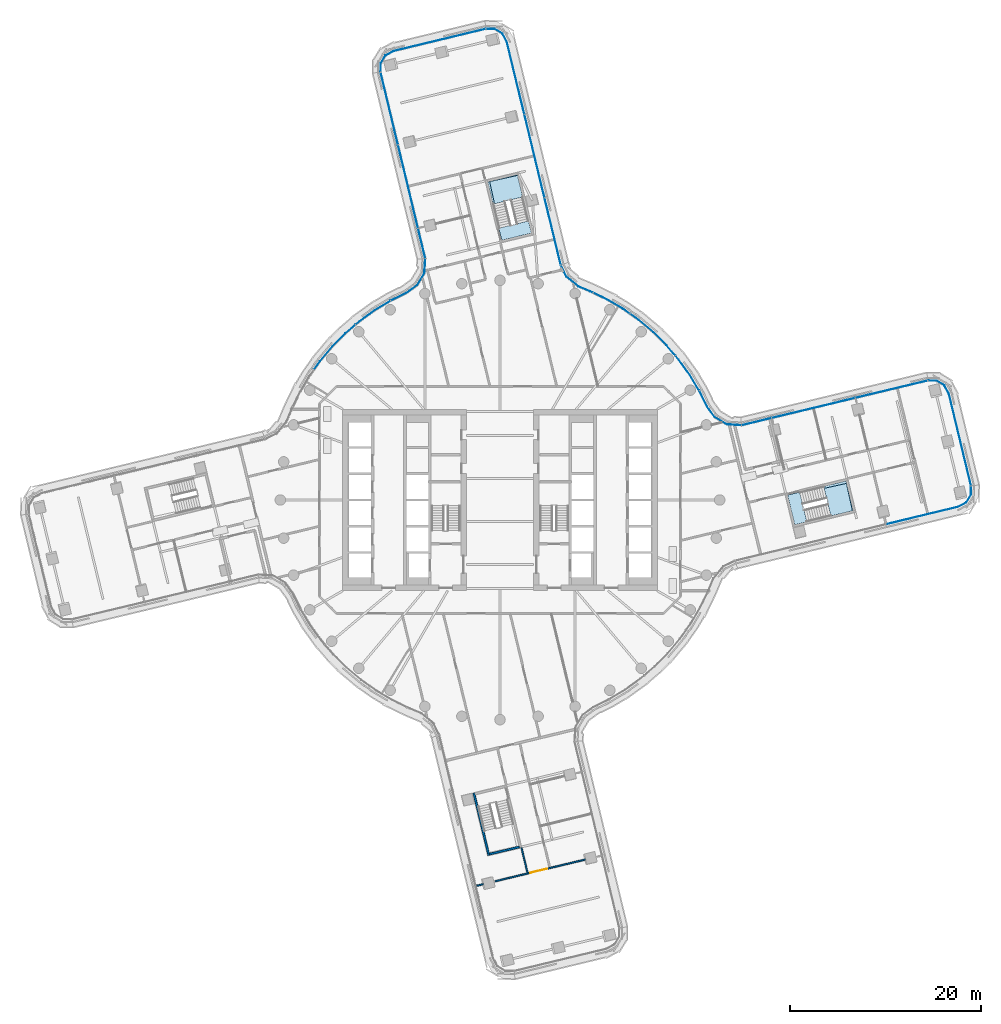
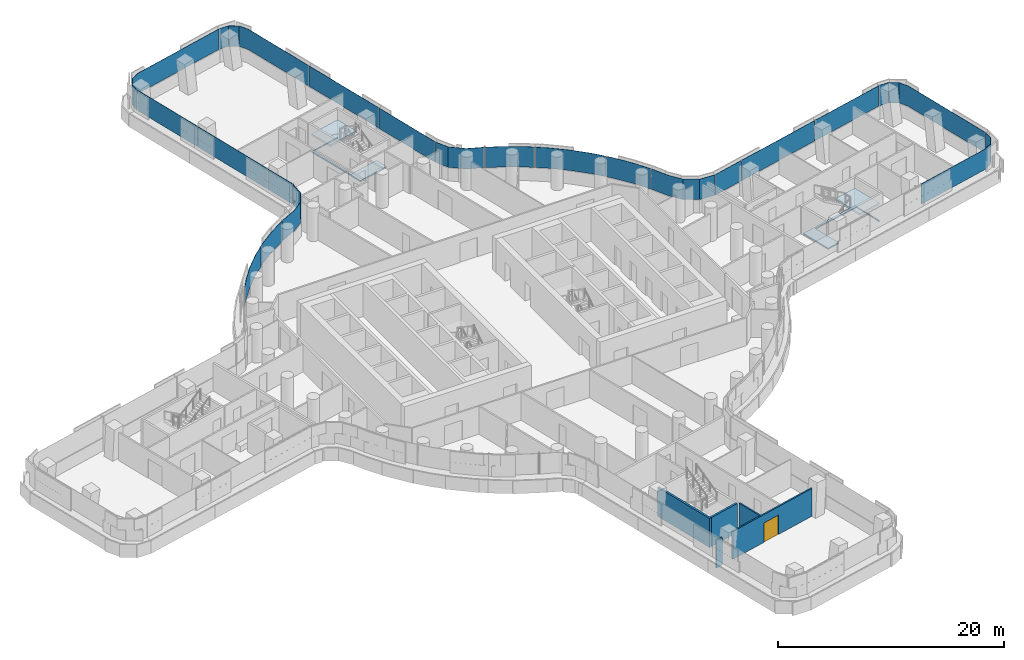
# One storey, part 18 of 33: 20 plates, 5 walls, 4 slabs, 1 door, 1 opening, 10 elements without a shape of their own.
"""IFC4 building model written with IfcOpenShell, lengths in metres."""

from ifc_helpers import new_model, si_unit, direction, frame, frame_2d, origin, place, context, subcontext, project, spatial, polyline, rectangle, outline, extrude, material, layer, layer_set, type_object, element, fill, aggregate, save


model = new_model("IFC4")

# Units and contexts
model_context = context("Model", 3, precision=1e-05, world=origin(), true_north=direction((0.0, 1.0)))
body_context = subcontext(model_context, "Body", "Model", "MODEL_VIEW")
ifc_project = project(units=[si_unit("LENGTHUNIT", "METRE"), si_unit("AREAUNIT", "SQUARE_METRE"), si_unit("VOLUMEUNIT", "CUBIC_METRE"), si_unit("PLANEANGLEUNIT", "RADIAN"), si_unit("MASSUNIT", "GRAM", prefix="KILO")], contexts=[model_context])

# Site, building, storey
site_placement = place(None, origin())
site = spatial("IfcSite", under=ifc_project, at=site_placement, CompositionType="ELEMENT")
building_placement = place(site_placement, origin())
building = spatial("IfcBuilding", under=site, at=building_placement, Name="Tamarind Cross Interchange Tower", CompositionType="ELEMENT")
storey_placement = place(building_placement, frame((0.0, 0.0, 83.5)))
storey = spatial("IfcBuildingStorey", under=building, at=storey_placement, Name="L19", CompositionType="ELEMENT", Elevation=83.5)

# Slabs
ifc_material_1 = material(Name="Concrete C35", Category="concrete")
ifc_layer_1 = layer(ifc_material_1, 0.139892578125)
ifc_layer_set_1 = layer_set([ifc_layer_1], Name="Concrete C35")
slab_type_1 = type_object("IfcSlabType", Name="Composite slab 140 Concrete C35", PredefinedType="FLOOR", material=ifc_layer_set_1)
slab_1_placement = place(storey_placement, frame((0.0, 0.0, -0.139892578125)))
element("IfcSlab", 1, at=slab_1_placement, inside=storey, type_object=slab_type_1, Name="Floor slab L19", PredefinedType="FLOOR", context=body_context, shape_type="SweptSolid", body=[
    extrude(outline(polyline([(0.1865234375, 27.18896484375), (3.297119140625, 27.9404296875), (3.008544921875, 29.13525390625), (2.989013671875, 29.2158203125), (-0.009521484375, 28.4912109375), (-1.08642578125, 33.33447265625), (1.8369140625, 33.984619140625), (1.817626953125, 34.064208984375), (-1.29296875, 33.312744140625), (0.1865234375, 27.18896484375)])), origin(), (0.0, 0.0, 1.0), 0.139892578125),
])
slab_2_placement = place(storey_placement, frame((0.0, 0.0, -0.139892578125)))
element("IfcSlab", 2, at=slab_2_placement, inside=storey, type_object=slab_type_1, Name="Floor slab L19", PredefinedType="FLOOR", context=body_context, shape_type="SweptSolid", body=[
    extrude(outline(polyline([(36.98046875, -1.113037109375), (36.22900390625, 1.997314453125), (30.10498046875, 0.517822265625), (30.8564453125, -2.592529296875), (32.1318359375, -2.284423828125), (31.42041015625, 0.66064453125), (36.262939453125, 1.737548828125), (36.901123046875, -1.132080078125), (36.98046875, -1.113037109375)])), origin(), (0.0, 0.0, 1.0), 0.139892578125),
])

# Stair, slab
ifc_material_2 = material(Name="Exit stair")
stair_type = type_object("IfcStairType", Name="Exit stair", PredefinedType="HALF_TURN_STAIR", material=ifc_material_2)
stair_1_placement = place(storey_placement, origin())
stair_1 = element("IfcStair", 3, at=stair_1_placement, inside=storey, type_object=stair_type, Name="L19 exit stair ST3", PredefinedType="HALF_TURN_STAIR")
ifc_material_3 = material(Name="Concrete C40", Category="concrete")
ifc_layer_2 = layer(ifc_material_3, 0.199951171875)
ifc_layer_set_2 = layer_set([ifc_layer_2], Name="Concrete C40")
slab_type_2 = type_object("IfcSlabType", Name="Stair landing", PredefinedType="LANDING", material=ifc_layer_set_2)
slab_3_placement = place(storey_placement, frame((0.0, 0.0, 1.675048828125)))
slab_3 = element("IfcSlab", 4, at=slab_3_placement, type_object=slab_type_2, Name="ST3 landing 1", PredefinedType="LANDING", context=body_context, shape_type="SweptSolid", body=[
    extrude(outline(polyline([(34.6357421875, -1.679443359375), (36.98046875, -1.113037109375), (36.228759765625, 1.997314453125), (33.88427734375, 1.430908203125), (34.6357421875, -1.679443359375)])), origin(), (0.0, 0.0, 1.0), 0.199951171875),
])
aggregate(stair_1, [slab_3])

stair_2_placement = place(storey_placement, origin())
stair_2 = element("IfcStair", 5, at=stair_2_placement, inside=storey, type_object=stair_type, Name="L19 exit stair ST4", PredefinedType="HALF_TURN_STAIR")
slab_4_placement = place(storey_placement, frame((0.0, 0.0, 1.675048828125)))
slab_4 = element("IfcSlab", 6, at=slab_4_placement, type_object=slab_type_2, Name="ST4 landing 1", PredefinedType="LANDING", context=body_context, shape_type="SweptSolid", body=[
    extrude(outline(polyline([(2.384033203125, 31.7197265625), (1.817626953125, 34.064208984375), (-1.29296875, 33.312744140625), (-0.7265625, 30.96826171875), (2.384033203125, 31.7197265625)])), origin(), (0.0, 0.0, 1.0), 0.199951171875),
])
aggregate(stair_2, [slab_4])

# Curtain wall, plate
ifc_material_4 = material(Name="Aluminium 6063-T6", Category="aluminium")
ifc_layer_3 = layer(ifc_material_4, 0.159912109375)
ifc_layer_set_3 = layer_set([ifc_layer_3], Name="Aluminium 6063-T6")
curtain_wall_type_1 = type_object("IfcCurtainWallType", Name="Office curtain wall, 9.0 m bays", PredefinedType="NOTDEFINED", material=ifc_layer_set_3)
curtain_wall_1_placement = place(storey_placement, origin())
curtain_wall_1 = element("IfcCurtainWall", 7, at=curtain_wall_1_placement, inside=storey, type_object=curtain_wall_type_1, Name="CWS-L19-00", PredefinedType="NOTDEFINED")
ifc_material_5 = material(Name="Laminated low-e glass 8+1.52+8", Category="glass")
ifc_layer_4 = layer(ifc_material_5, 0.028076171875)
ifc_layer_set_4 = layer_set([ifc_layer_4], Name="Laminated low-e glass 8+1.52+8")
plate_type_1 = type_object("IfcPlateType", Name="Vision panel CW1", PredefinedType="CURTAIN_PANEL", material=ifc_layer_set_4)
plate_1_placement = place(storey_placement, frame((0.0, 0.0, 1.39990234375)))
plate_1 = element("IfcPlate", 8, at=plate_1_placement, type_object=plate_type_1, Name="CWP-L19-00-00", PredefinedType="CURTAIN_PANEL", context=body_context, shape_type="SweptSolid", body=[
    extrude(outline(polyline([(-1.511474609375, 49.30712890625), (-11.149658203125, 46.978515625), (-11.983642578125, 46.524169921875), (-12.463623046875, 45.738525390625), (-12.486328125, 44.817138671875), (-12.514404296875, 44.81787109375), (-12.491455078125, 45.746826171875), (-12.003662109375, 46.545166015625), (-11.159912109375, 47.0048828125), (-1.51806640625, 49.33447265625), (-1.511474609375, 49.30712890625)])), origin(), (0.0, 0.0, 1.0), 2.210205078125),
])
aggregate(curtain_wall_1, [plate_1])

# Curtain wall, plates
curtain_wall_2_placement = place(storey_placement, origin())
curtain_wall_2 = element("IfcCurtainWall", 9, at=curtain_wall_2_placement, inside=storey, type_object=curtain_wall_type_1, Name="CWS-L19-01", PredefinedType="NOTDEFINED")
plate_2_placement = place(storey_placement, frame((0.0, 0.0, 1.39990234375)))
plate_2 = element("IfcPlate", 10, at=plate_2_placement, type_object=plate_type_1, Name="CWP-L19-01-00", PredefinedType="CURTAIN_PANEL", context=body_context, shape_type="SweptSolid", body=[
    extrude(outline(polyline([(-12.48046875, 44.761474609375), (-10.669677734375, 37.221923828125), (-10.69677734375, 37.21533203125), (-12.5078125, 44.755126953125), (-12.48046875, 44.761474609375)])), origin(), (0.0, 0.0, 1.0), 2.210205078125),
])
plate_3_placement = place(storey_placement, frame((0.0, 0.0, 1.39990234375)))
plate_3 = element("IfcPlate", 11, at=plate_3_placement, type_object=plate_type_1, Name="CWP-L19-01-01", PredefinedType="CURTAIN_PANEL", context=body_context, shape_type="SweptSolid", body=[
    extrude(outline(polyline([(-10.655517578125, 37.16357421875), (-8.5673828125, 28.468994140625), (-8.594482421875, 28.46240234375), (-10.682861328125, 37.156982421875), (-10.655517578125, 37.16357421875)])), origin(), (0.0, 0.0, 1.0), 2.210205078125),
])
plate_4_placement = place(storey_placement, frame((0.0, 0.0, 1.39990234375)))
plate_4 = element("IfcPlate", 12, at=plate_4_placement, type_object=plate_type_1, Name="CWP-L19-01-02", PredefinedType="CURTAIN_PANEL", context=body_context, shape_type="SweptSolid", body=[
    extrude(outline(polyline([(-8.55322265625, 28.41064453125), (-7.811279296875, 25.3212890625), (-7.83837890625, 25.314697265625), (-8.58056640625, 28.404052734375), (-8.55322265625, 28.41064453125)])), origin(), (0.0, 0.0, 1.0), 2.210205078125),
])
aggregate(curtain_wall_2, [plate_2, plate_3, plate_4])

# Curtain wall, plate
curtain_wall_3_placement = place(storey_placement, origin())
curtain_wall_3 = element("IfcCurtainWall", 13, at=curtain_wall_3_placement, inside=storey, type_object=curtain_wall_type_1, Name="CWS-L19-11", PredefinedType="NOTDEFINED")
plate_5_placement = place(storey_placement, frame((0.0, 0.0, 1.39990234375)))
plate_5 = element("IfcPlate", 14, at=plate_5_placement, type_object=plate_type_1, Name="CWP-L19-11-02", PredefinedType="CURTAIN_PANEL", context=body_context, shape_type="SweptSolid", body=[
    extrude(outline(polyline([(40.414794921875, -2.5322265625), (47.976318359375, -0.705322265625), (48.810302734375, -0.2509765625), (49.290283203125, 0.53466796875), (49.31298828125, 1.4560546875), (49.341064453125, 1.455322265625), (49.318115234375, 0.5263671875), (48.830322265625, -0.27197265625), (47.986572265625, -0.731689453125), (40.42138671875, -2.559326171875), (40.414794921875, -2.5322265625)])), origin(), (0.0, 0.0, 1.0), 2.210205078125),
])
aggregate(curtain_wall_3, [plate_5])

curtain_wall_4_placement = place(storey_placement, origin())
curtain_wall_4 = element("IfcCurtainWall", 15, at=curtain_wall_4_placement, inside=storey, type_object=curtain_wall_type_1, Name="CWS-L19-12", PredefinedType="NOTDEFINED")
plate_6_placement = place(storey_placement, frame((0.0, 0.0, 1.39990234375)))
plate_6 = element("IfcPlate", 16, at=plate_6_placement, type_object=plate_type_1, Name="CWP-L19-12-00", PredefinedType="CURTAIN_PANEL", context=body_context, shape_type="SweptSolid", body=[
    extrude(outline(polyline([(49.30712890625, 1.511474609375), (46.978515625, 11.149658203125), (46.524169921875, 11.983642578125), (45.738525390625, 12.463623046875), (44.817138671875, 12.486328125), (44.81787109375, 12.514404296875), (45.746826171875, 12.491455078125), (46.545166015625, 12.003662109375), (47.0048828125, 11.159912109375), (49.33447265625, 1.51806640625), (49.30712890625, 1.511474609375)])), origin(), (0.0, 0.0, 1.0), 2.210205078125),
])
aggregate(curtain_wall_4, [plate_6])

# Curtain wall, plates
curtain_wall_5_placement = place(storey_placement, origin())
curtain_wall_5 = element("IfcCurtainWall", 17, at=curtain_wall_5_placement, inside=storey, type_object=curtain_wall_type_1, Name="CWS-L19-13", PredefinedType="NOTDEFINED")
plate_7_placement = place(storey_placement, frame((0.0, 0.0, 1.39990234375)))
plate_7 = element("IfcPlate", 18, at=plate_7_placement, type_object=plate_type_1, Name="CWP-L19-13-00", PredefinedType="CURTAIN_PANEL", context=body_context, shape_type="SweptSolid", body=[
    extrude(outline(polyline([(44.761474609375, 12.48046875), (37.221923828125, 10.669677734375), (37.21533203125, 10.69677734375), (44.755126953125, 12.5078125), (44.761474609375, 12.48046875)])), origin(), (0.0, 0.0, 1.0), 2.210205078125),
])
plate_8_placement = place(storey_placement, frame((0.0, 0.0, 1.39990234375)))
plate_8 = element("IfcPlate", 19, at=plate_8_placement, type_object=plate_type_1, Name="CWP-L19-13-01", PredefinedType="CURTAIN_PANEL", context=body_context, shape_type="SweptSolid", body=[
    extrude(outline(polyline([(37.16357421875, 10.655517578125), (28.468994140625, 8.5673828125), (28.46240234375, 8.594482421875), (37.156982421875, 10.682861328125), (37.16357421875, 10.655517578125)])), origin(), (0.0, 0.0, 1.0), 2.210205078125),
])
plate_9_placement = place(storey_placement, frame((0.0, 0.0, 1.39990234375)))
plate_9 = element("IfcPlate", 20, at=plate_9_placement, type_object=plate_type_1, Name="CWP-L19-13-02", PredefinedType="CURTAIN_PANEL", context=body_context, shape_type="SweptSolid", body=[
    extrude(outline(polyline([(28.41064453125, 8.55322265625), (25.3212890625, 7.811279296875), (25.314697265625, 7.83837890625), (28.404052734375, 8.58056640625), (28.41064453125, 8.55322265625)])), origin(), (0.0, 0.0, 1.0), 2.210205078125),
])
aggregate(curtain_wall_5, [plate_7, plate_8, plate_9])

curtain_wall_6_placement = place(storey_placement, origin())
curtain_wall_6 = element("IfcCurtainWall", 21, at=curtain_wall_6_placement, inside=storey, type_object=curtain_wall_type_1, Name="CWS-L19-15", PredefinedType="NOTDEFINED")
plate_10_placement = place(storey_placement, frame((0.0, 0.0, 1.39990234375)))
plate_10 = element("IfcPlate", 22, at=plate_10_placement, type_object=plate_type_1, Name="CWP-L19-15-00", PredefinedType="CURTAIN_PANEL", context=body_context, shape_type="SweptSolid", body=[
    extrude(outline(polyline([(6.347412109375, 24.623046875), (4.659423828125, 31.60986328125), (4.686767578125, 31.616455078125), (6.374755859375, 24.629638671875), (6.347412109375, 24.623046875)])), origin(), (0.0, 0.0, 1.0), 2.210205078125),
])
plate_11_placement = place(storey_placement, frame((0.0, 0.0, 1.39990234375)))
plate_11 = element("IfcPlate", 23, at=plate_11_placement, type_object=plate_type_1, Name="CWP-L19-15-01", PredefinedType="CURTAIN_PANEL", context=body_context, shape_type="SweptSolid", body=[
    extrude(outline(polyline([(4.6455078125, 31.66796875), (2.54638671875, 40.3564453125), (2.573486328125, 40.363037109375), (4.672607421875, 31.674560546875), (4.6455078125, 31.66796875)])), origin(), (0.0, 0.0, 1.0), 2.210205078125),
])
plate_12_placement = place(storey_placement, frame((0.0, 0.0, 1.39990234375)))
plate_12 = element("IfcPlate", 24, at=plate_12_placement, type_object=plate_type_1, Name="CWP-L19-15-02", PredefinedType="CURTAIN_PANEL", context=body_context, shape_type="SweptSolid", body=[
    extrude(outline(polyline([(2.5322265625, 40.414794921875), (0.705322265625, 47.976318359375), (0.2509765625, 48.810302734375), (-0.53466796875, 49.290283203125), (-1.4560546875, 49.31298828125), (-1.455322265625, 49.341064453125), (-0.5263671875, 49.318115234375), (0.27197265625, 48.830322265625), (0.731689453125, 47.986572265625), (2.559326171875, 40.42138671875), (2.5322265625, 40.414794921875)])), origin(), (0.0, 0.0, 1.0), 2.210205078125),
])
aggregate(curtain_wall_6, [plate_10, plate_11, plate_12])

ifc_layer_5 = layer(ifc_material_4, 0.14990234375)
ifc_layer_set_5 = layer_set([ifc_layer_5], Name="Aluminium 6063-T6")
curtain_wall_type_2 = type_object("IfcCurtainWallType", Name="Winter garden and crown curtain wall", PredefinedType="NOTDEFINED", material=ifc_layer_set_5)
curtain_wall_7_placement = place(storey_placement, origin())
curtain_wall_7 = element("IfcCurtainWall", 25, at=curtain_wall_7_placement, inside=storey, type_object=curtain_wall_type_2, Name="CWS-L19-02", PredefinedType="NOTDEFINED")
ifc_layer_6 = layer(ifc_material_5, 0.030029296875)
ifc_layer_set_6 = layer_set([ifc_layer_6], Name="Laminated low-e glass 8+1.52+8")
plate_type_2 = type_object("IfcPlateType", Name="Vision panel CW6", PredefinedType="CURTAIN_PANEL", material=ifc_layer_set_6)
plate_13_placement = place(storey_placement, frame((0.0, 0.0, 1.39990234375)))
plate_13 = element("IfcPlate", 26, at=plate_13_placement, type_object=plate_type_2, Name="CWP-L19-02-00", PredefinedType="CURTAIN_PANEL", context=body_context, shape_type="SweptSolid", body=[
    extrude(outline(polyline([(-7.804931640625, 25.2578125), (-7.906005859375, 23.731201171875), (-8.65185546875, 22.47900390625), (-9.76611328125, 21.677978515625), (-11.402099609375, 20.86865234375), (-11.41552734375, 20.8955078125), (-9.781494140625, 21.703857421875), (-8.674560546875, 22.49951171875), (-7.935546875, 23.740478515625), (-7.834716796875, 25.259765625), (-7.804931640625, 25.2578125)])), origin(), (0.0, 0.0, 1.0), 2.210205078125),
])
plate_14_placement = place(storey_placement, frame((0.0, 0.0, 1.39990234375)))
plate_14 = element("IfcPlate", 27, at=plate_14_placement, type_object=plate_type_2, Name="CWP-L19-02-01", PredefinedType="CURTAIN_PANEL", context=body_context, shape_type="SweptSolid", body=[
    extrude(outline(polyline([(-11.452880859375, 20.8388671875), (-13.09228515625, 19.852294921875), (-14.68701171875, 18.703369140625), (-15.086669921875, 18.362060546875), (-15.106201171875, 18.384765625), (-14.70556640625, 18.72705078125), (-13.10888671875, 19.87744140625), (-11.46826171875, 20.864501953125), (-11.452880859375, 20.8388671875)])), origin(), (0.0, 0.0, 1.0), 2.210205078125),
])
plate_15_placement = place(storey_placement, frame((0.0, 0.0, 1.39990234375)))
plate_15 = element("IfcPlate", 28, at=plate_15_placement, type_object=plate_type_2, Name="CWP-L19-02-02", PredefinedType="CURTAIN_PANEL", context=body_context, shape_type="SweptSolid", body=[
    extrude(outline(polyline([(-15.13232421875, 18.322998046875), (-16.181396484375, 17.426513671875), (-17.565185546875, 16.03076171875), (-18.8291015625, 14.525634765625), (-19.462646484375, 13.6298828125), (-19.4873046875, 13.647216796875), (-18.852783203125, 14.5439453125), (-17.58740234375, 16.051025390625), (-16.201904296875, 17.448486328125), (-15.15185546875, 18.345703125), (-15.13232421875, 18.322998046875)])), origin(), (0.0, 0.0, 1.0), 2.210205078125),
])
aggregate(curtain_wall_7, [plate_13, plate_14, plate_15])

curtain_wall_8_placement = place(storey_placement, origin())
curtain_wall_8 = element("IfcCurtainWall", 29, at=curtain_wall_8_placement, inside=storey, type_object=curtain_wall_type_2, Name="CWS-L19-14", PredefinedType="NOTDEFINED")
plate_16_placement = place(storey_placement, frame((0.0, 0.0, 1.39990234375)))
plate_16 = element("IfcPlate", 30, at=plate_16_placement, type_object=plate_type_2, Name="CWP-L19-14-00", PredefinedType="CURTAIN_PANEL", context=body_context, shape_type="SweptSolid", body=[
    extrude(outline(polyline([(25.2578125, 7.804931640625), (23.731201171875, 7.906005859375), (22.47900390625, 8.65185546875), (21.677978515625, 9.76611328125), (20.86865234375, 11.402099609375), (20.8955078125, 11.41552734375), (21.703857421875, 9.781494140625), (22.49951171875, 8.674560546875), (23.740478515625, 7.935546875), (25.259765625, 7.834716796875), (25.2578125, 7.804931640625)])), origin(), (0.0, 0.0, 1.0), 2.210205078125),
])
plate_17_placement = place(storey_placement, frame((0.0, 0.0, 1.39990234375)))
plate_17 = element("IfcPlate", 31, at=plate_17_placement, type_object=plate_type_2, Name="CWP-L19-14-01", PredefinedType="CURTAIN_PANEL", context=body_context, shape_type="SweptSolid", body=[
    extrude(outline(polyline([(20.8388671875, 11.452880859375), (19.852294921875, 13.09228515625), (18.703369140625, 14.68701171875), (18.362060546875, 15.086669921875), (18.384765625, 15.106201171875), (18.72705078125, 14.70556640625), (19.87744140625, 13.10888671875), (20.864501953125, 11.46826171875), (20.8388671875, 11.452880859375)])), origin(), (0.0, 0.0, 1.0), 2.210205078125),
])
plate_18_placement = place(storey_placement, frame((0.0, 0.0, 1.39990234375)))
plate_18 = element("IfcPlate", 32, at=plate_18_placement, type_object=plate_type_2, Name="CWP-L19-14-02", PredefinedType="CURTAIN_PANEL", context=body_context, shape_type="SweptSolid", body=[
    extrude(outline(polyline([(18.322998046875, 15.13232421875), (17.426513671875, 16.181396484375), (16.03076171875, 17.565185546875), (14.525634765625, 18.8291015625), (13.6298828125, 19.462646484375), (13.647216796875, 19.4873046875), (14.5439453125, 18.852783203125), (16.051025390625, 17.58740234375), (17.448486328125, 16.201904296875), (18.345703125, 15.15185546875), (18.322998046875, 15.13232421875)])), origin(), (0.0, 0.0, 1.0), 2.210205078125),
])
plate_19_placement = place(storey_placement, frame((0.0, 0.0, 1.39990234375)))
plate_19 = element("IfcPlate", 33, at=plate_19_placement, type_object=plate_type_2, Name="CWP-L19-14-03", PredefinedType="CURTAIN_PANEL", context=body_context, shape_type="SweptSolid", body=[
    extrude(outline(polyline([(13.580810546875, 19.497314453125), (12.921142578125, 19.96435546875), (11.228271484375, 20.963134765625), (9.758056640625, 21.674072265625), (9.771240234375, 21.700927734375), (11.242431640625, 20.989501953125), (12.937255859375, 19.989501953125), (13.59814453125, 19.52197265625), (13.580810546875, 19.497314453125)])), origin(), (0.0, 0.0, 1.0), 2.210205078125),
])
plate_20_placement = place(storey_placement, frame((0.0, 0.0, 1.39990234375)))
plate_20 = element("IfcPlate", 34, at=plate_20_placement, type_object=plate_type_2, Name="CWP-L19-14-04", PredefinedType="CURTAIN_PANEL", context=body_context, shape_type="SweptSolid", body=[
    extrude(outline(polyline([(9.7041015625, 21.7001953125), (9.456298828125, 21.81982421875), (8.201171875, 22.341064453125), (6.958740234375, 23.357421875), (6.367919921875, 24.563720703125), (6.394775390625, 24.576904296875), (6.98291015625, 23.37646484375), (8.216796875, 22.366943359375), (9.468505859375, 21.84716796875), (9.717041015625, 21.72705078125), (9.7041015625, 21.7001953125)])), origin(), (0.0, 0.0, 1.0), 2.210205078125),
])
aggregate(curtain_wall_8, [plate_16, plate_17, plate_18, plate_19, plate_20])

# Walls
ifc_material_6 = material(Name="Gypsum board partition on steel studs", Category="steel")
ifc_layer_7 = layer(ifc_material_6, 0.14990234375)
ifc_layer_set_7 = layer_set([ifc_layer_7], Name="Gypsum board partition on steel studs")
wall_type_1 = type_object("IfcWallType", Name="Partition 150 mm EI 120", PredefinedType="PARTITIONING", material=ifc_layer_set_7)
wall_1_placement = place(storey_placement, frame((2.2490234375, -36.4150390625, 0.0), z_axis=(0.0, 0.0, 1.0), x_axis=(0.234954575527, -0.972006351542, 0.0)))
element("IfcWall", 35, at=wall_1_placement, inside=storey, type_object=wall_type_1, Name="Partition L19-018", PredefinedType="PARTITIONING", context=body_context, shape_type="SweptSolid", body=[
    extrude(rectangle(XDim=2.68505859375, YDim=0.14990234375, at=frame_2d((1.342529296875, 0.0))), origin(), (0.0, 0.0, 1.0), 3.010009765625),
])
wall_2_placement = place(storey_placement, frame((-2.44873046875, -40.3896484375, 0.0), z_axis=(0.0, 0.0, 1.0), x_axis=(0.972076787862, 0.2346629892, 0.0)))
element("IfcWall", 36, at=wall_2_placement, inside=storey, type_object=wall_type_1, Name="Partition L19-061", PredefinedType="PARTITIONING", context=body_context, shape_type="SweptSolid", body=[
    extrude(rectangle(XDim=0.70849609375, YDim=0.14990234375, at=frame_2d((0.354248046875, 0.0))), origin(), (0.0, 0.0, 1.0), 3.010009765625),
])

# Wall, opening, door
wall_3_placement = place(storey_placement, frame((-0.50146484375, -39.919189453125, 0.0), z_axis=(0.0, 0.0, 1.0), x_axis=(0.972022435654, 0.234888025631, 0.0)))
wall_3 = element("IfcWall", 37, at=wall_3_placement, inside=storey, type_object=wall_type_1, Name="Partition L19-062", PredefinedType="PARTITIONING", context=body_context, shape_type="SweptSolid", body=[
    extrude(rectangle(XDim=9.706787109375, YDim=0.14990234375, at=frame_2d((4.853515625, 0.0))), origin(), (0.0, 0.0, 1.0), 3.010009765625),
])
opening_placement = place(wall_3_placement, frame((3.79541015625, 0.0, 0.0)))
opening = element("IfcOpeningElement", 38, at=opening_placement, cuts=wall_3, Name="Opening D32", PredefinedType="OPENING", context=body_context, shape_type="SweptSolid", body=[
    extrude(rectangle(XDim=1.800048828125, YDim=2.10009765625, at=frame_2d((0.89990234375, 1.050048828125))), frame((0.0, 0.0849609375, 0.0), z_axis=(0.0, -1.0, 0.0), x_axis=(1.0, 0.0, 0.0)), (0.0, 0.0, 1.0), 0.169921875),
])
ifc_material_7 = material(Name="Fire-resisting door set")
door_type = type_object("IfcDoorType", Name="Interior door 1800 x 2100 FD60S", OperationType="DOUBLE_DOOR_SINGLE_SWING", PredefinedType="DOOR", material=ifc_material_7)
door_placement = place(opening_placement, origin())
door = element("IfcDoor", 39, at=door_placement, inside=storey, type_object=door_type, Name="Door D32", OperationType="DOUBLE_DOOR_SINGLE_SWING", OverallHeight=2.10009765625, OverallWidth=1.800048828125, PredefinedType="DOOR", context=body_context, shape_type="SweptSolid", body=[
    extrude(rectangle(XDim=1.800048828125, YDim=2.10009765625, at=frame_2d((0.89990234375, 1.050048828125))), frame((0.0, 0.02490234375, 0.0), z_axis=(0.0, -1.0, 0.0), x_axis=(1.0, 0.0, 0.0)), (0.0, 0.0, 1.0), 0.050048828125),
])
fill(opening, door)

# Walls
ifc_layer_8 = layer(ifc_material_3, 0.199951171875)
ifc_layer_set_8 = layer_set([ifc_layer_8], Name="Concrete C40")
wall_type_2 = type_object("IfcWallType", Name="Stair shaft wall 200 mm Concrete C40", PredefinedType="SHEAR", material=ifc_layer_set_8)
wall_4_placement = place(storey_placement, frame((-2.73681640625, -30.685546875, -0.139892578125), z_axis=(0.0, 0.0, 1.0), x_axis=(0.234845934383, -0.972032605988, 0.0)))
element("IfcWall", 40, at=wall_4_placement, inside=storey, type_object=wall_type_2, Name="Core wall CWL-L19-ST6-C", PredefinedType="SHEAR", context=body_context, shape_type="SweptSolid", body=[
    extrude(rectangle(XDim=6.7001953125, YDim=0.199951171875, at=frame_2d((3.35009765625, 0.0))), origin(), (0.0, 0.0, 1.0), 3.14990234375),
])
wall_5_placement = place(storey_placement, frame((0.0, 0.0, -0.139892578125)))
element("IfcWall", 41, at=wall_5_placement, inside=storey, type_object=wall_type_2, Name="Core wall CWL-L19-ST6-CF", PredefinedType="SHEAR", context=body_context, shape_type="SweptSolid", body=[
    extrude(outline(polyline([(-1.113037109375, -36.98046875), (-1.066162109375, -37.1748046875), (2.04443359375, -36.42333984375), (1.997314453125, -36.22900390625), (-1.113037109375, -36.98046875)])), origin(), (0.0, 0.0, 1.0), 3.14990234375),
])

save(model, "model.ifc")
